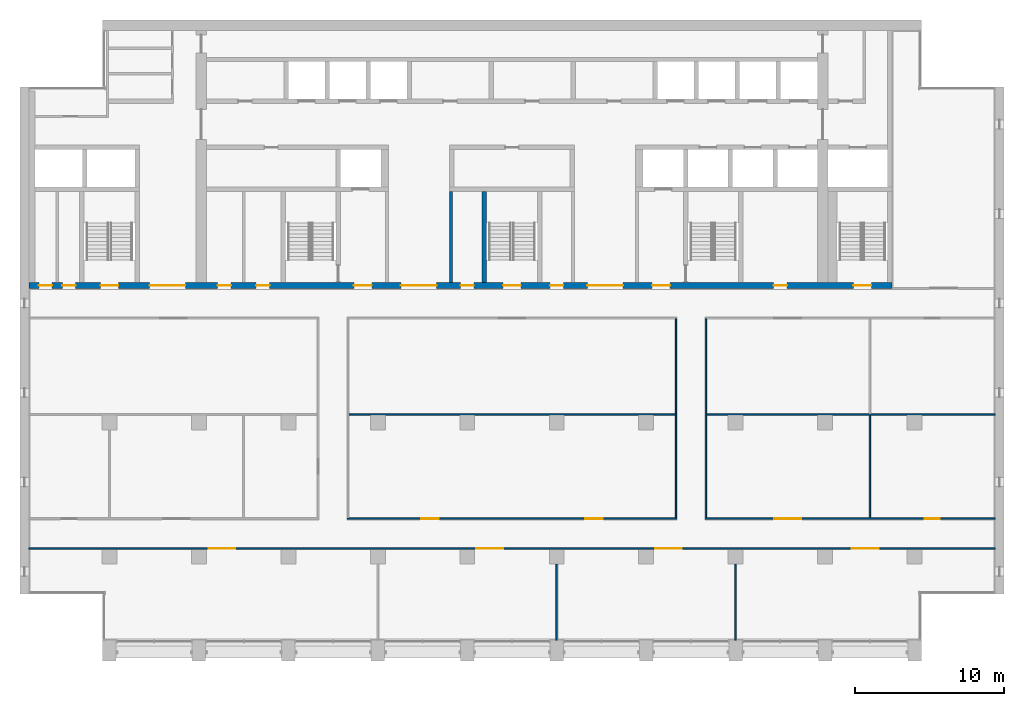
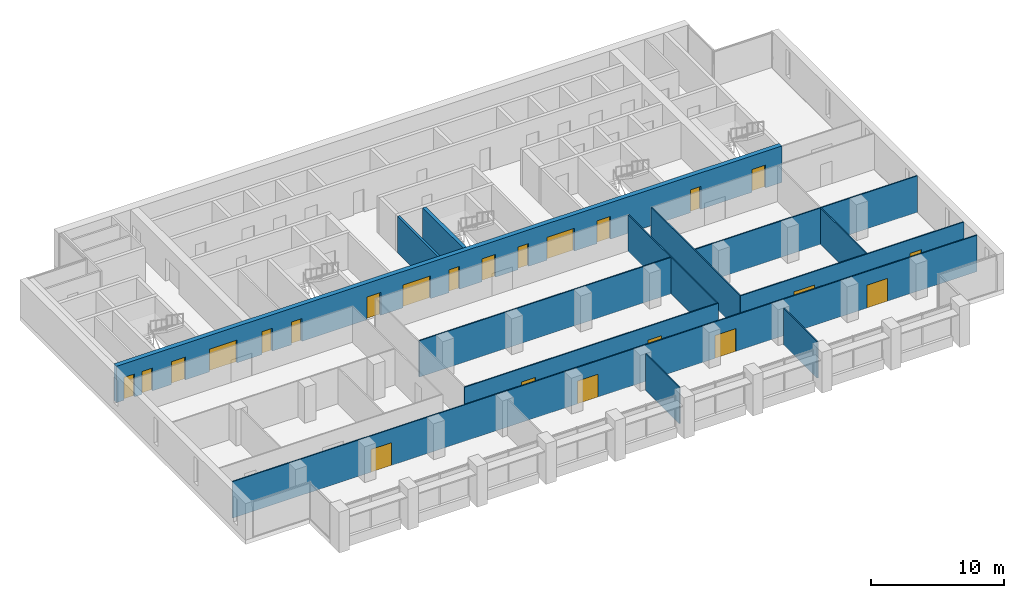
# One storey, part 9 of 17: 23 doors, 13 walls, 23 openings.
"""IFC4 building model written with IfcOpenShell, lengths in metres."""

from ifc_helpers import new_model, si_unit, direction, frame, frame_2d, origin, place, context, subcontext, project, spatial, rectangle, extrude, material, layer, layer_set, type_object, element, fill, save


model = new_model("IFC4")

# Units and contexts
model_context = context("Model", 3, precision=1e-05, world=origin(), true_north=direction((0.0, 1.0)))
body_context = subcontext(model_context, "Body", "Model", "MODEL_VIEW")
ifc_project = project(units=[si_unit("LENGTHUNIT", "METRE"), si_unit("AREAUNIT", "SQUARE_METRE"), si_unit("VOLUMEUNIT", "CUBIC_METRE"), si_unit("PLANEANGLEUNIT", "RADIAN"), si_unit("MASSUNIT", "GRAM", prefix="KILO")], contexts=[model_context])

# Site, building, storey
site_placement = place(None, origin())
site = spatial("IfcSite", under=ifc_project, at=site_placement, CompositionType="ELEMENT")
building_placement = place(site_placement, origin())
building = spatial("IfcBuilding", under=site, at=building_placement, Name="Calvaro Tower", CompositionType="ELEMENT")
storey_placement = place(building_placement, frame((0.0, 0.0, 211.75)))
storey = spatial("IfcBuildingStorey", under=building, at=storey_placement, Name="L53", CompositionType="ELEMENT", Elevation=211.75)

# Walls
ifc_material_1 = material(Name="Blockwork partition", Category="masonry")
ifc_layer_1 = layer(ifc_material_1, 0.199951171875)
ifc_layer_set_1 = layer_set([ifc_layer_1], Name="Blockwork partition")
wall_type_1 = type_object("IfcWallType", Name="Core partition 200 REI 120", PredefinedType="PARTITIONING", material=ifc_layer_set_1)
wall_1_placement = place(storey_placement, frame((34.89990234375, 28.39990234375, 0.0), z_axis=(0.0, 0.0, 1.0), x_axis=(0.0, 1.0, 0.0)))
element("IfcWall", 1, at=wall_1_placement, inside=storey, type_object=wall_type_1, Name="Core partition", PredefinedType="PARTITIONING", context=body_context, shape_type="SweptSolid", body=[
    extrude(rectangle(XDim=6.10009765625, YDim=0.199951171875, at=frame_2d((3.050048828125, 0.0))), origin(), (0.0, 0.0, 1.0), 3.35009765625),
])
ifc_material_2 = material(Name="Concrete C50/60", Category="concrete")
ifc_layer_2 = layer(ifc_material_2, 0.300048828125)
ifc_layer_set_2 = layer_set([ifc_layer_2], Name="Concrete C50/60")
wall_type_2 = type_object("IfcWallType", Name="Core wall C50/60 300", PredefinedType="SHEAR", material=ifc_layer_set_2)
wall_2_placement = place(storey_placement, frame((37.14990234375, 28.39990234375, 0.0), z_axis=(0.0, 0.0, 1.0), x_axis=(0.0, 1.0, 0.0)))
element("IfcWall", 2, at=wall_2_placement, inside=storey, type_object=wall_type_2, Name="Core wall, stair enclosure", PredefinedType="SHEAR", context=body_context, shape_type="SweptSolid", body=[
    extrude(rectangle(XDim=6.10009765625, YDim=0.300048828125, at=frame_2d((3.050048828125, 0.0))), origin(), (0.0, 0.0, 1.0), 3.35009765625),
])

# Wall, openings, doors
ifc_material_3 = material(Name="Concrete C50/60", Category="concrete")
ifc_layer_3 = layer(ifc_material_3, 0.39990234375)
ifc_layer_set_3 = layer_set([ifc_layer_3], Name="Concrete C50/60")
wall_type_3 = type_object("IfcWallType", Name="Core wall C50/60 400", PredefinedType="SHEAR", material=ifc_layer_set_3)
wall_3_placement = place(storey_placement, frame((6.60009765625, 28.199951171875, 0.0), z_axis=(0.0, 0.0, 1.0), x_axis=(1.0, 0.0, 0.0)))
wall_3 = element("IfcWall", 3, at=wall_3_placement, inside=storey, type_object=wall_type_3, Name="Core wall, front", PredefinedType="SHEAR", context=body_context, shape_type="SweptSolid", body=[
    extrude(rectangle(XDim=57.89990234375, YDim=0.39990234375, at=frame_2d((28.949951171875, 0.0))), origin(), (0.0, 0.0, 1.0), 3.35009765625),
])
opening_1_placement = place(wall_3_placement, frame((12.66259765625, 0.0, 0.0)))
opening_1 = element("IfcOpeningElement", 4, at=opening_1_placement, cuts=wall_3, Name="Opening RD9E", PredefinedType="OPENING", context=body_context, shape_type="SweptSolid", body=[
    extrude(rectangle(XDim=0.89990234375, YDim=2.10009765625, at=frame_2d((0.449951171875, 1.050048828125))), frame((0.0, 0.2099609375, 0.0), z_axis=(0.0, -1.0, 0.0), x_axis=(1.0, 0.0, 0.0)), (0.0, 0.0, 1.0), 0.419921875),
])
opening_2_placement = place(wall_3_placement, frame((15.237548828125, 0.0, 0.0)))
opening_2 = element("IfcOpeningElement", 5, at=opening_2_placement, cuts=wall_3, Name="Opening RD9C", PredefinedType="OPENING", context=body_context, shape_type="SweptSolid", body=[
    extrude(rectangle(XDim=0.89990234375, YDim=2.10009765625, at=frame_2d((0.449951171875, 1.050048828125))), frame((0.0, 0.2099609375, 0.0), z_axis=(0.0, -1.0, 0.0), x_axis=(1.0, 0.0, 0.0)), (0.0, 0.0, 1.0), 0.419921875),
])
opening_3_placement = place(wall_3_placement, frame((49.949951171875, 0.0, 0.0)))
opening_3 = element("IfcOpeningElement", 6, at=opening_3_placement, cuts=wall_3, Name="Opening RD9E", PredefinedType="OPENING", context=body_context, shape_type="SweptSolid", body=[
    extrude(rectangle(XDim=0.89990234375, YDim=2.10009765625, at=frame_2d((0.449951171875, 1.050048828125))), frame((0.0, 0.2099609375, 0.0), z_axis=(0.0, -1.0, 0.0), x_axis=(1.0, 0.0, 0.0)), (0.0, 0.0, 1.0), 0.419921875),
])
opening_4_placement = place(wall_3_placement, frame((0.66259765625, 0.0, 0.0)))
opening_4 = element("IfcOpeningElement", 7, at=opening_4_placement, cuts=wall_3, Name="Opening RD9C", PredefinedType="OPENING", context=body_context, shape_type="SweptSolid", body=[
    extrude(rectangle(XDim=0.89990234375, YDim=2.10009765625, at=frame_2d((0.449951171875, 1.050048828125))), frame((0.0, 0.2099609375, 0.0), z_axis=(0.0, -1.0, 0.0), x_axis=(1.0, 0.0, 0.0)), (0.0, 0.0, 1.0), 0.419921875),
])
opening_5_placement = place(wall_3_placement, frame((2.237548828125, 0.0, 0.0)))
opening_5 = element("IfcOpeningElement", 8, at=opening_5_placement, cuts=wall_3, Name="Opening RD9E", PredefinedType="OPENING", context=body_context, shape_type="SweptSolid", body=[
    extrude(rectangle(XDim=0.89990234375, YDim=2.10009765625, at=frame_2d((0.449951171875, 1.050048828125))), frame((0.0, 0.2099609375, 0.0), z_axis=(0.0, -1.0, 0.0), x_axis=(1.0, 0.0, 0.0)), (0.0, 0.0, 1.0), 0.419921875),
])
opening_6_placement = place(wall_3_placement, frame((4.800048828125, 0.0, 0.0)))
opening_6 = element("IfcOpeningElement", 9, at=opening_6_placement, cuts=wall_3, Name="Opening SD12D", PredefinedType="OPENING", context=body_context, shape_type="SweptSolid", body=[
    extrude(rectangle(XDim=1.199951171875, YDim=2.10009765625, at=frame_2d((0.60009765625, 1.050048828125))), frame((0.0, 0.2099609375, 0.0), z_axis=(0.0, -1.0, 0.0), x_axis=(1.0, 0.0, 0.0)), (0.0, 0.0, 1.0), 0.419921875),
])
opening_7_placement = place(wall_3_placement, frame((31.800048828125, 0.0, 0.0)))
opening_7 = element("IfcOpeningElement", 10, at=opening_7_placement, cuts=wall_3, Name="Opening SD12D", PredefinedType="OPENING", context=body_context, shape_type="SweptSolid", body=[
    extrude(rectangle(XDim=1.199951171875, YDim=2.10009765625, at=frame_2d((0.60009765625, 1.050048828125))), frame((0.0, 0.2099609375, 0.0), z_axis=(0.0, -1.0, 0.0), x_axis=(1.0, 0.0, 0.0)), (0.0, 0.0, 1.0), 0.419921875),
])
opening_8_placement = place(wall_3_placement, frame((55.300048828125, 0.0, 0.0)))
opening_8 = element("IfcOpeningElement", 11, at=opening_8_placement, cuts=wall_3, Name="Opening SD12D", PredefinedType="OPENING", context=body_context, shape_type="SweptSolid", body=[
    extrude(rectangle(XDim=1.199951171875, YDim=2.10009765625, at=frame_2d((0.60009765625, 1.050048828125))), frame((0.0, 0.2099609375, 0.0), z_axis=(0.0, -1.0, 0.0), x_axis=(1.0, 0.0, 0.0)), (0.0, 0.0, 1.0), 0.419921875),
])
opening_9_placement = place(wall_3_placement, frame((21.800048828125, 0.0, 0.0)))
opening_9 = element("IfcOpeningElement", 12, at=opening_9_placement, cuts=wall_3, Name="Opening FD12F", PredefinedType="OPENING", context=body_context, shape_type="SweptSolid", body=[
    extrude(rectangle(XDim=1.199951171875, YDim=2.10009765625, at=frame_2d((0.60009765625, 1.050048828125))), frame((0.0, 0.2099609375, 0.0), z_axis=(0.0, -1.0, 0.0), x_axis=(1.0, 0.0, 0.0)), (0.0, 0.0, 1.0), 0.419921875),
])
opening_10_placement = place(wall_3_placement, frame((41.800048828125, 0.0, 0.0)))
opening_10 = element("IfcOpeningElement", 13, at=opening_10_placement, cuts=wall_3, Name="Opening FD12F", PredefinedType="OPENING", context=body_context, shape_type="SweptSolid", body=[
    extrude(rectangle(XDim=1.199951171875, YDim=2.10009765625, at=frame_2d((0.60009765625, 1.050048828125))), frame((0.0, 0.2099609375, 0.0), z_axis=(0.0, -1.0, 0.0), x_axis=(1.0, 0.0, 0.0)), (0.0, 0.0, 1.0), 0.419921875),
])
opening_11_placement = place(wall_3_placement, frame((24.949951171875, 0.0, 0.0)))
opening_11 = element("IfcOpeningElement", 14, at=opening_11_placement, cuts=wall_3, Name="Opening DD24D", PredefinedType="OPENING", context=body_context, shape_type="SweptSolid", body=[
    extrude(rectangle(XDim=2.39990234375, YDim=2.10009765625, at=frame_2d((1.199951171875, 1.050048828125))), frame((0.0, 0.2099609375, 0.0), z_axis=(0.0, -1.0, 0.0), x_axis=(1.0, 0.0, 0.0)), (0.0, 0.0, 1.0), 0.419921875),
])
opening_12_placement = place(wall_3_placement, frame((37.449951171875, 0.0, 0.0)))
opening_12 = element("IfcOpeningElement", 15, at=opening_12_placement, cuts=wall_3, Name="Opening DD24D", PredefinedType="OPENING", context=body_context, shape_type="SweptSolid", body=[
    extrude(rectangle(XDim=2.39990234375, YDim=2.10009765625, at=frame_2d((1.199951171875, 1.050048828125))), frame((0.0, 0.2099609375, 0.0), z_axis=(0.0, -1.0, 0.0), x_axis=(1.0, 0.0, 0.0)), (0.0, 0.0, 1.0), 0.419921875),
])
opening_13_placement = place(wall_3_placement, frame((8.10009765625, 0.0, 0.0)))
opening_13 = element("IfcOpeningElement", 16, at=opening_13_placement, cuts=wall_3, Name="Opening DD24D", PredefinedType="OPENING", context=body_context, shape_type="SweptSolid", body=[
    extrude(rectangle(XDim=2.39990234375, YDim=2.10009765625, at=frame_2d((1.199951171875, 1.050048828125))), frame((0.0, 0.2099609375, 0.0), z_axis=(0.0, -1.0, 0.0), x_axis=(1.0, 0.0, 0.0)), (0.0, 0.0, 1.0), 0.419921875),
])
opening_14_placement = place(wall_3_placement, frame((28.949951171875, 0.0, 0.0)))
opening_14 = element("IfcOpeningElement", 17, at=opening_14_placement, cuts=wall_3, Name="Opening RD9E", PredefinedType="OPENING", context=body_context, shape_type="SweptSolid", body=[
    extrude(rectangle(XDim=0.89990234375, YDim=2.10009765625, at=frame_2d((0.449951171875, 1.050048828125))), frame((0.0, 0.2099609375, 0.0), z_axis=(0.0, -1.0, 0.0), x_axis=(1.0, 0.0, 0.0)), (0.0, 0.0, 1.0), 0.419921875),
])
opening_15_placement = place(wall_3_placement, frame((34.949951171875, 0.0, 0.0)))
opening_15 = element("IfcOpeningElement", 18, at=opening_15_placement, cuts=wall_3, Name="Opening RD9E", PredefinedType="OPENING", context=body_context, shape_type="SweptSolid", body=[
    extrude(rectangle(XDim=0.89990234375, YDim=2.10009765625, at=frame_2d((0.449951171875, 1.050048828125))), frame((0.0, 0.2099609375, 0.0), z_axis=(0.0, -1.0, 0.0), x_axis=(1.0, 0.0, 0.0)), (0.0, 0.0, 1.0), 0.419921875),
])
ifc_material_4 = material(Name="Steel door set", Category="steel")
door_type_1 = type_object("IfcDoorType", Name="Fire door 1200 FD60S", OperationType="SINGLE_SWING_LEFT", PredefinedType="DOOR", material=ifc_material_4)
door_1_placement = place(opening_9_placement, origin())
door_1 = element("IfcDoor", 19, at=door_1_placement, inside=storey, type_object=door_type_1, Name="Fire door", OperationType="SINGLE_SWING_LEFT", OverallHeight=2.10009765625, OverallWidth=1.199951171875, PredefinedType="DOOR", context=body_context, shape_type="SweptSolid", body=[
    extrude(rectangle(XDim=1.199951171875, YDim=2.10009765625, at=frame_2d((0.60009765625, 1.050048828125))), frame((0.0, 0.02490234375, 0.0), z_axis=(0.0, -1.0, 0.0), x_axis=(1.0, 0.0, 0.0)), (0.0, 0.0, 1.0), 0.050048828125),
])
fill(opening_9, door_1)
door_2_placement = place(opening_10_placement, origin())
door_2 = element("IfcDoor", 20, at=door_2_placement, inside=storey, type_object=door_type_1, Name="Fire door", OperationType="SINGLE_SWING_LEFT", OverallHeight=2.10009765625, OverallWidth=1.199951171875, PredefinedType="DOOR", context=body_context, shape_type="SweptSolid", body=[
    extrude(rectangle(XDim=1.199951171875, YDim=2.10009765625, at=frame_2d((0.60009765625, 1.050048828125))), frame((0.0, 0.02490234375, 0.0), z_axis=(0.0, -1.0, 0.0), x_axis=(1.0, 0.0, 0.0)), (0.0, 0.0, 1.0), 0.050048828125),
])
fill(opening_10, door_2)
ifc_material_5 = material(Name="Steel door set", Category="steel")
door_type_2 = type_object("IfcDoorType", Name="Lobby double door 2400 FD30S", OperationType="DOUBLE_DOOR_SINGLE_SWING", PredefinedType="DOOR", material=ifc_material_5)
door_3_placement = place(opening_11_placement, origin())
door_3 = element("IfcDoor", 21, at=door_3_placement, inside=storey, type_object=door_type_2, Name="Lobby double door", OperationType="DOUBLE_DOOR_SINGLE_SWING", OverallHeight=2.10009765625, OverallWidth=2.39990234375, PredefinedType="DOOR", context=body_context, shape_type="SweptSolid", body=[
    extrude(rectangle(XDim=2.39990234375, YDim=2.10009765625, at=frame_2d((1.199951171875, 1.050048828125))), frame((0.0, 0.02490234375, 0.0), z_axis=(0.0, -1.0, 0.0), x_axis=(1.0, 0.0, 0.0)), (0.0, 0.0, 1.0), 0.050048828125),
])
fill(opening_11, door_3)
door_4_placement = place(opening_12_placement, origin())
door_4 = element("IfcDoor", 22, at=door_4_placement, inside=storey, type_object=door_type_2, Name="Lobby double door", OperationType="DOUBLE_DOOR_SINGLE_SWING", OverallHeight=2.10009765625, OverallWidth=2.39990234375, PredefinedType="DOOR", context=body_context, shape_type="SweptSolid", body=[
    extrude(rectangle(XDim=2.39990234375, YDim=2.10009765625, at=frame_2d((1.199951171875, 1.050048828125))), frame((0.0, 0.02490234375, 0.0), z_axis=(0.0, -1.0, 0.0), x_axis=(1.0, 0.0, 0.0)), (0.0, 0.0, 1.0), 0.050048828125),
])
fill(opening_12, door_4)
door_5_placement = place(opening_13_placement, origin())
door_5 = element("IfcDoor", 23, at=door_5_placement, inside=storey, type_object=door_type_2, Name="Lobby double door", OperationType="DOUBLE_DOOR_SINGLE_SWING", OverallHeight=2.10009765625, OverallWidth=2.39990234375, PredefinedType="DOOR", context=body_context, shape_type="SweptSolid", body=[
    extrude(rectangle(XDim=2.39990234375, YDim=2.10009765625, at=frame_2d((1.199951171875, 1.050048828125))), frame((0.0, 0.02490234375, 0.0), z_axis=(0.0, -1.0, 0.0), x_axis=(1.0, 0.0, 0.0)), (0.0, 0.0, 1.0), 0.050048828125),
])
fill(opening_13, door_5)
ifc_material_6 = material(Name="Steel door set", Category="steel")
door_type_3 = type_object("IfcDoorType", Name="Room door 900 FD30", OperationType="SINGLE_SWING_LEFT", PredefinedType="DOOR", material=ifc_material_6)
door_6_placement = place(opening_2_placement, origin())
door_6 = element("IfcDoor", 24, at=door_6_placement, inside=storey, type_object=door_type_3, Name="Room door", OperationType="SINGLE_SWING_RIGHT", OverallHeight=2.10009765625, OverallWidth=0.89990234375, PredefinedType="DOOR", context=body_context, shape_type="SweptSolid", body=[
    extrude(rectangle(XDim=0.89990234375, YDim=2.10009765625, at=frame_2d((0.449951171875, 1.050048828125))), frame((0.0, 0.02490234375, 0.0), z_axis=(0.0, -1.0, 0.0), x_axis=(1.0, 0.0, 0.0)), (0.0, 0.0, 1.0), 0.050048828125),
])
fill(opening_2, door_6)
door_7_placement = place(opening_4_placement, origin())
door_7 = element("IfcDoor", 25, at=door_7_placement, inside=storey, type_object=door_type_3, Name="Room door", OperationType="SINGLE_SWING_LEFT", OverallHeight=2.10009765625, OverallWidth=0.89990234375, PredefinedType="DOOR", context=body_context, shape_type="SweptSolid", body=[
    extrude(rectangle(XDim=0.89990234375, YDim=2.10009765625, at=frame_2d((0.449951171875, 1.050048828125))), frame((0.0, 0.02490234375, 0.0), z_axis=(0.0, -1.0, 0.0), x_axis=(1.0, 0.0, 0.0)), (0.0, 0.0, 1.0), 0.050048828125),
])
fill(opening_4, door_7)
ifc_material_7 = material(Name="Steel door set", Category="steel")
door_type_4 = type_object("IfcDoorType", Name="Room door 900 FD60", OperationType="SINGLE_SWING_LEFT", PredefinedType="DOOR", material=ifc_material_7)
door_8_placement = place(opening_1_placement, origin())
door_8 = element("IfcDoor", 26, at=door_8_placement, inside=storey, type_object=door_type_4, Name="Room door", OperationType="SINGLE_SWING_LEFT", OverallHeight=2.10009765625, OverallWidth=0.89990234375, PredefinedType="DOOR", context=body_context, shape_type="SweptSolid", body=[
    extrude(rectangle(XDim=0.89990234375, YDim=2.10009765625, at=frame_2d((0.449951171875, 1.050048828125))), frame((0.0, 0.02490234375, 0.0), z_axis=(0.0, -1.0, 0.0), x_axis=(1.0, 0.0, 0.0)), (0.0, 0.0, 1.0), 0.050048828125),
])
fill(opening_1, door_8)
door_9_placement = place(opening_3_placement, origin())
door_9 = element("IfcDoor", 27, at=door_9_placement, inside=storey, type_object=door_type_4, Name="Room door", OperationType="SINGLE_SWING_LEFT", OverallHeight=2.10009765625, OverallWidth=0.89990234375, PredefinedType="DOOR", context=body_context, shape_type="SweptSolid", body=[
    extrude(rectangle(XDim=0.89990234375, YDim=2.10009765625, at=frame_2d((0.449951171875, 1.050048828125))), frame((0.0, 0.02490234375, 0.0), z_axis=(0.0, -1.0, 0.0), x_axis=(1.0, 0.0, 0.0)), (0.0, 0.0, 1.0), 0.050048828125),
])
fill(opening_3, door_9)
door_10_placement = place(opening_5_placement, origin())
door_10 = element("IfcDoor", 28, at=door_10_placement, inside=storey, type_object=door_type_4, Name="Room door", OperationType="SINGLE_SWING_LEFT", OverallHeight=2.10009765625, OverallWidth=0.89990234375, PredefinedType="DOOR", context=body_context, shape_type="SweptSolid", body=[
    extrude(rectangle(XDim=0.89990234375, YDim=2.10009765625, at=frame_2d((0.449951171875, 1.050048828125))), frame((0.0, 0.02490234375, 0.0), z_axis=(0.0, -1.0, 0.0), x_axis=(1.0, 0.0, 0.0)), (0.0, 0.0, 1.0), 0.050048828125),
])
fill(opening_5, door_10)
door_11_placement = place(opening_14_placement, origin())
door_11 = element("IfcDoor", 29, at=door_11_placement, inside=storey, type_object=door_type_4, Name="Room door", OperationType="SINGLE_SWING_LEFT", OverallHeight=2.10009765625, OverallWidth=0.89990234375, PredefinedType="DOOR", context=body_context, shape_type="SweptSolid", body=[
    extrude(rectangle(XDim=0.89990234375, YDim=2.10009765625, at=frame_2d((0.449951171875, 1.050048828125))), frame((0.0, 0.02490234375, 0.0), z_axis=(0.0, -1.0, 0.0), x_axis=(1.0, 0.0, 0.0)), (0.0, 0.0, 1.0), 0.050048828125),
])
fill(opening_14, door_11)
door_12_placement = place(opening_15_placement, origin())
door_12 = element("IfcDoor", 30, at=door_12_placement, inside=storey, type_object=door_type_4, Name="Room door", OperationType="SINGLE_SWING_LEFT", OverallHeight=2.10009765625, OverallWidth=0.89990234375, PredefinedType="DOOR", context=body_context, shape_type="SweptSolid", body=[
    extrude(rectangle(XDim=0.89990234375, YDim=2.10009765625, at=frame_2d((0.449951171875, 1.050048828125))), frame((0.0, 0.02490234375, 0.0), z_axis=(0.0, -1.0, 0.0), x_axis=(1.0, 0.0, 0.0)), (0.0, 0.0, 1.0), 0.050048828125),
])
fill(opening_15, door_12)
ifc_material_8 = material(Name="Steel door set", Category="steel")
door_type_5 = type_object("IfcDoorType", Name="Stair door 1200 FD30S", OperationType="SINGLE_SWING_LEFT", PredefinedType="DOOR", material=ifc_material_8)
door_13_placement = place(opening_6_placement, origin())
door_13 = element("IfcDoor", 31, at=door_13_placement, inside=storey, type_object=door_type_5, Name="Stair door", OperationType="SINGLE_SWING_LEFT", OverallHeight=2.10009765625, OverallWidth=1.199951171875, PredefinedType="DOOR", context=body_context, shape_type="SweptSolid", body=[
    extrude(rectangle(XDim=1.199951171875, YDim=2.10009765625, at=frame_2d((0.60009765625, 1.050048828125))), frame((0.0, 0.02490234375, 0.0), z_axis=(0.0, -1.0, 0.0), x_axis=(1.0, 0.0, 0.0)), (0.0, 0.0, 1.0), 0.050048828125),
])
fill(opening_6, door_13)
door_14_placement = place(opening_7_placement, origin())
door_14 = element("IfcDoor", 32, at=door_14_placement, inside=storey, type_object=door_type_5, Name="Stair door", OperationType="SINGLE_SWING_LEFT", OverallHeight=2.10009765625, OverallWidth=1.199951171875, PredefinedType="DOOR", context=body_context, shape_type="SweptSolid", body=[
    extrude(rectangle(XDim=1.199951171875, YDim=2.10009765625, at=frame_2d((0.60009765625, 1.050048828125))), frame((0.0, 0.02490234375, 0.0), z_axis=(0.0, -1.0, 0.0), x_axis=(1.0, 0.0, 0.0)), (0.0, 0.0, 1.0), 0.050048828125),
])
fill(opening_7, door_14)
door_15_placement = place(opening_8_placement, origin())
door_15 = element("IfcDoor", 33, at=door_15_placement, inside=storey, type_object=door_type_5, Name="Stair door", OperationType="SINGLE_SWING_LEFT", OverallHeight=2.10009765625, OverallWidth=1.199951171875, PredefinedType="DOOR", context=body_context, shape_type="SweptSolid", body=[
    extrude(rectangle(XDim=1.199951171875, YDim=2.10009765625, at=frame_2d((0.60009765625, 1.050048828125))), frame((0.0, 0.02490234375, 0.0), z_axis=(0.0, -1.0, 0.0), x_axis=(1.0, 0.0, 0.0)), (0.0, 0.0, 1.0), 0.050048828125),
])
fill(opening_8, door_15)

ifc_material_9 = material(Name="Plasterboard on steel studs", Category="steel")
ifc_layer_4 = layer(ifc_material_9, 0.10009765625)
ifc_layer_set_4 = layer_set([ifc_layer_4], Name="Plasterboard on steel studs")
wall_type_4 = type_object("IfcWallType", Name="Partition 100", PredefinedType="PARTITIONING", material=ifc_layer_set_4)
wall_4_placement = place(storey_placement, frame((6.60009765625, 10.550048828125, 0.0), z_axis=(0.0, 0.0, 1.0), x_axis=(1.0, 0.0, 0.0)))
wall_4 = element("IfcWall", 34, at=wall_4_placement, inside=storey, type_object=wall_type_4, Name="Partition T30.W001", PredefinedType="PARTITIONING", context=body_context, shape_type="SweptSolid", body=[
    extrude(rectangle(XDim=64.7998046875, YDim=0.10009765625, at=frame_2d((32.39990234375, 0.0))), origin(), (0.0, 0.0, 1.0), 3.35009765625),
])
opening_16_placement = place(wall_4_placement, frame((30.0, 0.0, 0.0)))
opening_16 = element("IfcOpeningElement", 35, at=opening_16_placement, cuts=wall_4, Name="Opening T30.001", PredefinedType="OPENING", context=body_context, shape_type="SweptSolid", body=[
    extrude(rectangle(XDim=1.800048828125, YDim=2.10009765625, at=frame_2d((0.89990234375, 1.050048828125))), frame((0.0, 0.06005859375, 0.0), z_axis=(0.0, -1.0, 0.0), x_axis=(1.0, 0.0, 0.0)), (0.0, 0.0, 1.0), 0.1201171875),
])
opening_17_placement = place(wall_4_placement, frame((42.0, 0.0, 0.0)))
opening_17 = element("IfcOpeningElement", 36, at=opening_17_placement, cuts=wall_4, Name="Opening T30.002", PredefinedType="OPENING", context=body_context, shape_type="SweptSolid", body=[
    extrude(rectangle(XDim=1.800048828125, YDim=2.10009765625, at=frame_2d((0.89990234375, 1.050048828125))), frame((0.0, 0.06005859375, 0.0), z_axis=(0.0, -1.0, 0.0), x_axis=(1.0, 0.0, 0.0)), (0.0, 0.0, 1.0), 0.1201171875),
])
opening_18_placement = place(wall_4_placement, frame((12.050048828125, 0.0, 0.0)))
opening_18 = element("IfcOpeningElement", 37, at=opening_18_placement, cuts=wall_4, Name="Opening T30.003", PredefinedType="OPENING", context=body_context, shape_type="SweptSolid", body=[
    extrude(rectangle(XDim=1.800048828125, YDim=2.10009765625, at=frame_2d((0.89990234375, 1.050048828125))), frame((0.0, 0.06005859375, 0.0), z_axis=(0.0, -1.0, 0.0), x_axis=(1.0, 0.0, 0.0)), (0.0, 0.0, 1.0), 0.1201171875),
])
opening_19_placement = place(wall_4_placement, frame((55.199951171875, 0.0, 0.0)))
opening_19 = element("IfcOpeningElement", 38, at=opening_19_placement, cuts=wall_4, Name="Opening T30.004", PredefinedType="OPENING", context=body_context, shape_type="SweptSolid", body=[
    extrude(rectangle(XDim=1.800048828125, YDim=2.10009765625, at=frame_2d((0.89990234375, 1.050048828125))), frame((0.0, 0.06005859375, 0.0), z_axis=(0.0, -1.0, 0.0), x_axis=(1.0, 0.0, 0.0)), (0.0, 0.0, 1.0), 0.1201171875),
])
ifc_material_10 = material(Name="Timber", Category="wood")
door_type_6 = type_object("IfcDoorType", Name="Internal double door 1800 x 2100", OperationType="DOUBLE_DOOR_SINGLE_SWING", PredefinedType="DOOR", material=ifc_material_10)
door_16_placement = place(opening_16_placement, origin())
door_16 = element("IfcDoor", 39, at=door_16_placement, inside=storey, type_object=door_type_6, Name="Door T30.001", OperationType="DOUBLE_DOOR_SINGLE_SWING", OverallHeight=2.10009765625, OverallWidth=1.800048828125, PredefinedType="DOOR", context=body_context, shape_type="SweptSolid", body=[
    extrude(rectangle(XDim=1.800048828125, YDim=2.10009765625, at=frame_2d((0.89990234375, 1.050048828125))), frame((0.0, 0.02490234375, 0.0), z_axis=(0.0, -1.0, 0.0), x_axis=(1.0, 0.0, 0.0)), (0.0, 0.0, 1.0), 0.050048828125),
])
fill(opening_16, door_16)
door_17_placement = place(opening_17_placement, origin())
door_17 = element("IfcDoor", 40, at=door_17_placement, inside=storey, type_object=door_type_6, Name="Door T30.002", OperationType="DOUBLE_DOOR_SINGLE_SWING", OverallHeight=2.10009765625, OverallWidth=1.800048828125, PredefinedType="DOOR", context=body_context, shape_type="SweptSolid", body=[
    extrude(rectangle(XDim=1.800048828125, YDim=2.10009765625, at=frame_2d((0.89990234375, 1.050048828125))), frame((0.0, 0.02490234375, 0.0), z_axis=(0.0, -1.0, 0.0), x_axis=(1.0, 0.0, 0.0)), (0.0, 0.0, 1.0), 0.050048828125),
])
fill(opening_17, door_17)
door_18_placement = place(opening_18_placement, origin())
door_18 = element("IfcDoor", 41, at=door_18_placement, inside=storey, type_object=door_type_6, Name="Door T30.003", OperationType="DOUBLE_DOOR_SINGLE_SWING", OverallHeight=2.10009765625, OverallWidth=1.800048828125, PredefinedType="DOOR", context=body_context, shape_type="SweptSolid", body=[
    extrude(rectangle(XDim=1.800048828125, YDim=2.10009765625, at=frame_2d((0.89990234375, 1.050048828125))), frame((0.0, 0.02490234375, 0.0), z_axis=(0.0, -1.0, 0.0), x_axis=(1.0, 0.0, 0.0)), (0.0, 0.0, 1.0), 0.050048828125),
])
fill(opening_18, door_18)
door_19_placement = place(opening_19_placement, origin())
door_19 = element("IfcDoor", 42, at=door_19_placement, inside=storey, type_object=door_type_6, Name="Door T30.004", OperationType="DOUBLE_DOOR_SINGLE_SWING", OverallHeight=2.10009765625, OverallWidth=1.800048828125, PredefinedType="DOOR", context=body_context, shape_type="SweptSolid", body=[
    extrude(rectangle(XDim=1.800048828125, YDim=2.10009765625, at=frame_2d((0.89990234375, 1.050048828125))), frame((0.0, 0.02490234375, 0.0), z_axis=(0.0, -1.0, 0.0), x_axis=(1.0, 0.0, 0.0)), (0.0, 0.0, 1.0), 0.050048828125),
])
fill(opening_19, door_19)

wall_5_placement = place(storey_placement, frame((27.949951171875, 12.550048828125, 0.0), z_axis=(0.0, 0.0, 1.0), x_axis=(1.0, 0.0, 0.0)))
wall_5 = element("IfcWall", 43, at=wall_5_placement, inside=storey, type_object=wall_type_4, Name="Partition T30.W003", PredefinedType="PARTITIONING", context=body_context, shape_type="SweptSolid", body=[
    extrude(rectangle(XDim=22.10009765625, YDim=0.10009765625, at=frame_2d((11.050048828125, 0.0))), origin(), (0.0, 0.0, 1.0), 3.35009765625),
])
opening_20_placement = place(wall_5_placement, frame((4.949951171875, 0.0, 0.0)))
opening_20 = element("IfcOpeningElement", 44, at=opening_20_placement, cuts=wall_5, Name="Opening T30.008", PredefinedType="OPENING", context=body_context, shape_type="SweptSolid", body=[
    extrude(rectangle(XDim=1.199951171875, YDim=2.10009765625, at=frame_2d((0.60009765625, 1.050048828125))), frame((0.0, 0.06005859375, 0.0), z_axis=(0.0, -1.0, 0.0), x_axis=(1.0, 0.0, 0.0)), (0.0, 0.0, 1.0), 0.1201171875),
])
opening_21_placement = place(wall_5_placement, frame((15.949951171875, 0.0, 0.0)))
opening_21 = element("IfcOpeningElement", 45, at=opening_21_placement, cuts=wall_5, Name="Opening T30.009", PredefinedType="OPENING", context=body_context, shape_type="SweptSolid", body=[
    extrude(rectangle(XDim=1.199951171875, YDim=2.10009765625, at=frame_2d((0.60009765625, 1.050048828125))), frame((0.0, 0.06005859375, 0.0), z_axis=(0.0, -1.0, 0.0), x_axis=(1.0, 0.0, 0.0)), (0.0, 0.0, 1.0), 0.1201171875),
])
ifc_material_11 = material(Name="Timber", Category="wood")
door_type_7 = type_object("IfcDoorType", Name="Internal single door 1200 x 2100", OperationType="SINGLE_SWING_LEFT", PredefinedType="DOOR", material=ifc_material_11)
door_20_placement = place(opening_20_placement, origin())
door_20 = element("IfcDoor", 46, at=door_20_placement, inside=storey, type_object=door_type_7, Name="Door T30.008", OperationType="SINGLE_SWING_LEFT", OverallHeight=2.10009765625, OverallWidth=1.199951171875, PredefinedType="DOOR", context=body_context, shape_type="SweptSolid", body=[
    extrude(rectangle(XDim=1.199951171875, YDim=2.10009765625, at=frame_2d((0.60009765625, 1.050048828125))), frame((0.0, 0.02490234375, 0.0), z_axis=(0.0, -1.0, 0.0), x_axis=(1.0, 0.0, 0.0)), (0.0, 0.0, 1.0), 0.050048828125),
])
fill(opening_20, door_20)
door_21_placement = place(opening_21_placement, origin())
door_21 = element("IfcDoor", 47, at=door_21_placement, inside=storey, type_object=door_type_7, Name="Door T30.009", OperationType="SINGLE_SWING_RIGHT", OverallHeight=2.10009765625, OverallWidth=1.199951171875, PredefinedType="DOOR", context=body_context, shape_type="SweptSolid", body=[
    extrude(rectangle(XDim=1.199951171875, YDim=2.10009765625, at=frame_2d((0.60009765625, 1.050048828125))), frame((0.0, 0.02490234375, 0.0), z_axis=(0.0, -1.0, 0.0), x_axis=(1.0, 0.0, 0.0)), (0.0, 0.0, 1.0), 0.050048828125),
])
fill(opening_21, door_21)

wall_6_placement = place(storey_placement, frame((51.949951171875, 12.550048828125, 0.0), z_axis=(0.0, 0.0, 1.0), x_axis=(1.0, 0.0, 0.0)))
wall_6 = element("IfcWall", 48, at=wall_6_placement, inside=storey, type_object=wall_type_4, Name="Partition T30.W004", PredefinedType="PARTITIONING", context=body_context, shape_type="SweptSolid", body=[
    extrude(rectangle(XDim=19.449951171875, YDim=0.10009765625, at=frame_2d((9.72509765625, 0.0))), origin(), (0.0, 0.0, 1.0), 3.35009765625),
])
opening_22_placement = place(wall_6_placement, frame((4.64990234375, 0.0, 0.0)))
opening_22 = element("IfcOpeningElement", 49, at=opening_22_placement, cuts=wall_6, Name="Opening T30.010", PredefinedType="OPENING", context=body_context, shape_type="SweptSolid", body=[
    extrude(rectangle(XDim=1.800048828125, YDim=2.10009765625, at=frame_2d((0.89990234375, 1.050048828125))), frame((0.0, 0.06005859375, 0.0), z_axis=(0.0, -1.0, 0.0), x_axis=(1.0, 0.0, 0.0)), (0.0, 0.0, 1.0), 0.1201171875),
])
opening_23_placement = place(wall_6_placement, frame((14.75, 0.0, 0.0)))
opening_23 = element("IfcOpeningElement", 50, at=opening_23_placement, cuts=wall_6, Name="Opening T30.011", PredefinedType="OPENING", context=body_context, shape_type="SweptSolid", body=[
    extrude(rectangle(XDim=1.0, YDim=2.10009765625, at=frame_2d((0.5, 1.050048828125))), frame((0.0, 0.06005859375, 0.0), z_axis=(0.0, -1.0, 0.0), x_axis=(1.0, 0.0, 0.0)), (0.0, 0.0, 1.0), 0.1201171875),
])
door_22_placement = place(opening_22_placement, origin())
door_22 = element("IfcDoor", 51, at=door_22_placement, inside=storey, type_object=door_type_6, Name="Door T30.010", OperationType="DOUBLE_DOOR_SINGLE_SWING", OverallHeight=2.10009765625, OverallWidth=1.800048828125, PredefinedType="DOOR", context=body_context, shape_type="SweptSolid", body=[
    extrude(rectangle(XDim=1.800048828125, YDim=2.10009765625, at=frame_2d((0.89990234375, 1.050048828125))), frame((0.0, 0.02490234375, 0.0), z_axis=(0.0, -1.0, 0.0), x_axis=(1.0, 0.0, 0.0)), (0.0, 0.0, 1.0), 0.050048828125),
])
fill(opening_22, door_22)
ifc_material_12 = material(Name="Timber", Category="wood")
door_type_8 = type_object("IfcDoorType", Name="Internal single door 1000 x 2100", OperationType="SINGLE_SWING_LEFT", PredefinedType="DOOR", material=ifc_material_12)
door_23_placement = place(opening_23_placement, origin())
door_23 = element("IfcDoor", 52, at=door_23_placement, inside=storey, type_object=door_type_8, Name="Door T30.011", OperationType="SINGLE_SWING_RIGHT", OverallHeight=2.10009765625, OverallWidth=1.0, PredefinedType="DOOR", context=body_context, shape_type="SweptSolid", body=[
    extrude(rectangle(XDim=1.0, YDim=2.10009765625, at=frame_2d((0.5, 1.050048828125))), frame((0.0, 0.02490234375, 0.0), z_axis=(0.0, -1.0, 0.0), x_axis=(1.0, 0.0, 0.0)), (0.0, 0.0, 1.0), 0.050048828125),
])
fill(opening_23, door_23)

# Walls
wall_7_placement = place(storey_placement, frame((28.050048828125, 19.550048828125, 0.0), z_axis=(0.0, 0.0, 1.0), x_axis=(1.0, 0.0, 0.0)))
element("IfcWall", 53, at=wall_7_placement, inside=storey, type_object=wall_type_4, Name="Partition T30.W006", PredefinedType="PARTITIONING", context=body_context, shape_type="SweptSolid", body=[
    extrude(rectangle(XDim=21.89990234375, YDim=0.10009765625, at=frame_2d((10.949951171875, 0.0))), origin(), (0.0, 0.0, 1.0), 3.35009765625),
])
wall_8_placement = place(storey_placement, frame((52.050048828125, 19.550048828125, 0.0), z_axis=(0.0, 0.0, 1.0), x_axis=(1.0, 0.0, 0.0)))
element("IfcWall", 54, at=wall_8_placement, inside=storey, type_object=wall_type_4, Name="Partition T30.W007", PredefinedType="PARTITIONING", context=body_context, shape_type="SweptSolid", body=[
    extrude(rectangle(XDim=19.349853515625, YDim=0.10009765625, at=frame_2d((9.6748046875, 0.0))), origin(), (0.0, 0.0, 1.0), 3.35009765625),
])
wall_9_placement = place(storey_placement, frame((42.0, 4.39990234375, 0.0), z_axis=(0.0, 0.0, 1.0), x_axis=(0.0, 1.0, 0.0)))
element("IfcWall", 55, at=wall_9_placement, inside=storey, type_object=wall_type_4, Name="Partition T30.W017", PredefinedType="PARTITIONING", context=body_context, shape_type="SweptSolid", body=[
    extrude(rectangle(XDim=5.10009765625, YDim=0.10009765625, at=frame_2d((2.550048828125, 0.0))), origin(), (0.0, 0.0, 1.0), 3.35009765625),
])
for number, where, z_axis, x_axis, name in (
    (56, (50.0, 12.60009765625, 0.0), (0.0, 0.0, 1.0), (0.0, 1.0, 0.0), "Partition T30.W018"),
    (57, (52.0, 12.60009765625, 0.0), (0.0, 0.0, 1.0), (0.0, 1.0, 0.0), "Partition T30.W019"),
):
    element("IfcWall", number, at=place(storey_placement, frame(where, z_axis=z_axis, x_axis=x_axis)), inside=storey, type_object=wall_type_4, Name=name, PredefinedType="PARTITIONING", context=body_context, shape_type="SweptSolid", body=[
        extrude(rectangle(XDim=13.349853515625, YDim=0.10009765625, at=frame_2d((6.6748046875, 0.0))), origin(), (0.0, 0.0, 1.0), 3.35009765625),
    ])
wall_10_placement = place(storey_placement, frame((54.0, 4.39990234375, 0.0), z_axis=(0.0, 0.0, 1.0), x_axis=(0.0, 1.0, 0.0)))
element("IfcWall", 58, at=wall_10_placement, inside=storey, type_object=wall_type_4, Name="Partition T30.W020", PredefinedType="PARTITIONING", context=body_context, shape_type="SweptSolid", body=[
    extrude(rectangle(XDim=5.10009765625, YDim=0.10009765625, at=frame_2d((2.550048828125, 0.0))), origin(), (0.0, 0.0, 1.0), 3.35009765625),
])
wall_11_placement = place(storey_placement, frame((63.0, 12.60009765625, 0.0), z_axis=(0.0, 0.0, 1.0), x_axis=(0.0, 1.0, 0.0)))
element("IfcWall", 59, at=wall_11_placement, inside=storey, type_object=wall_type_4, Name="Partition T30.W021", PredefinedType="PARTITIONING", context=body_context, shape_type="SweptSolid", body=[
    extrude(rectangle(XDim=6.89990234375, YDim=0.10009765625, at=frame_2d((3.449951171875, 0.0))), origin(), (0.0, 0.0, 1.0), 3.35009765625),
])

save(model, "model.ifc")
